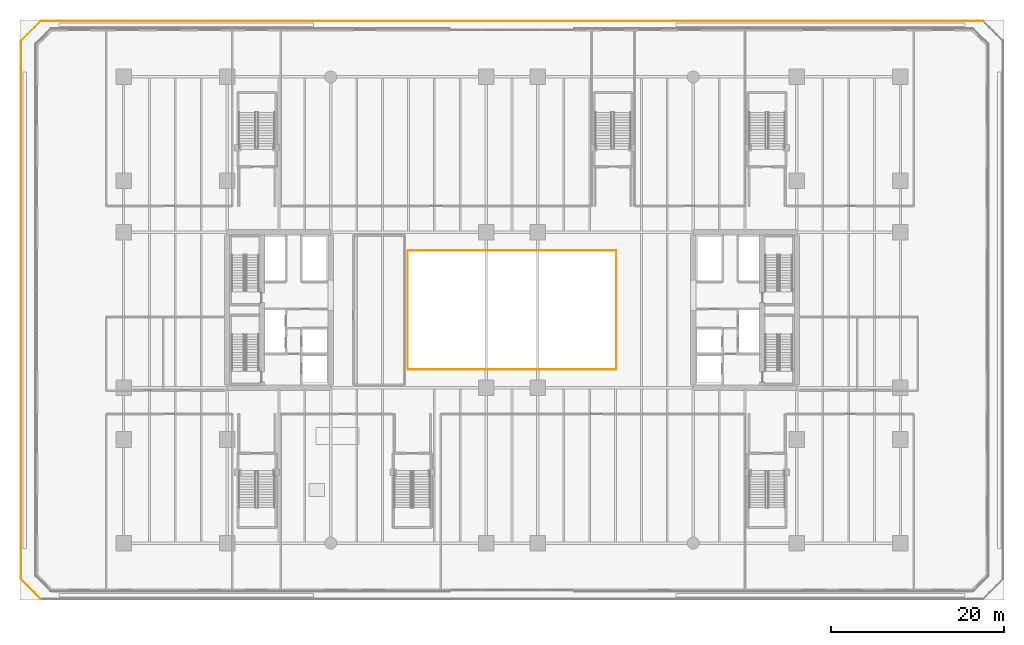
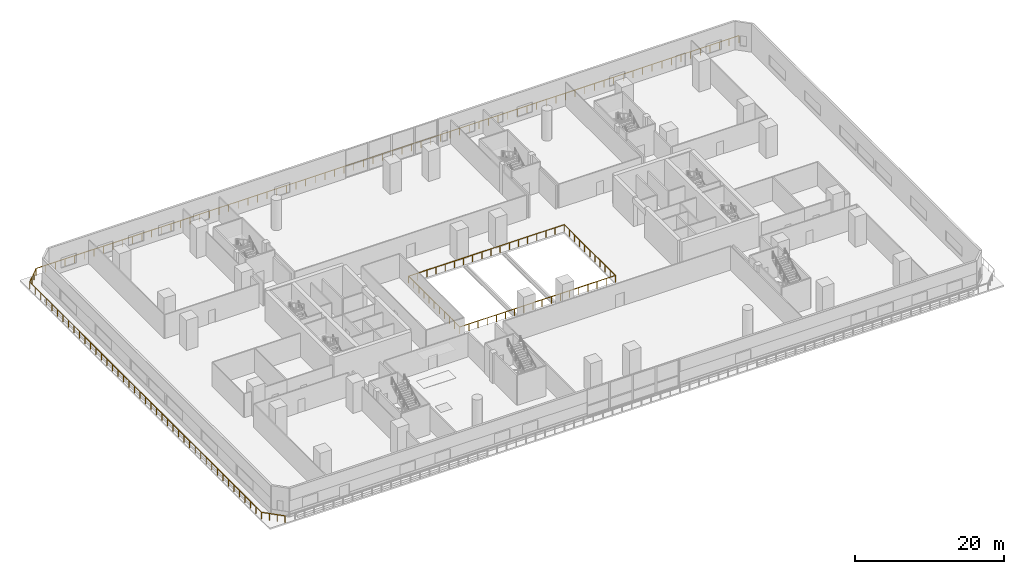
# One storey, part 20 of 24: 3 railings.
"""IFC4 building model written with IfcOpenShell, lengths in metres."""

from ifc_helpers import new_model, si_unit, direction, frame, origin, place, context, subcontext, project, spatial, rectangle, extrude, material, type_object, element, save


model = new_model("IFC4")

# Units and contexts
model_context = context("Model", 3, precision=1e-05, world=origin(), true_north=direction((0.0, 1.0)))
body_context = subcontext(model_context, "Body", "Model", "MODEL_VIEW")
ifc_project = project(units=[si_unit("LENGTHUNIT", "METRE"), si_unit("AREAUNIT", "SQUARE_METRE"), si_unit("VOLUMEUNIT", "CUBIC_METRE"), si_unit("PLANEANGLEUNIT", "RADIAN"), si_unit("MASSUNIT", "GRAM", prefix="KILO")], contexts=[model_context])

# Site, building, storey
site_placement = place(None, origin())
site = spatial("IfcSite", under=ifc_project, at=site_placement, CompositionType="ELEMENT")
building_placement = place(site_placement, origin())
building = spatial("IfcBuilding", under=site, at=building_placement, Name="Tanjung Sevakor Pilgrim Tower", CompositionType="ELEMENT")
storey_placement = place(building_placement, frame((0.0, 0.0, 4.949951171875)))
storey = spatial("IfcBuildingStorey", under=building, at=storey_placement, Name="L02", CompositionType="ELEMENT", Elevation=4.949951171875)

# Railings
ifc_material_1 = material(Name="Laminated Glass and Aluminium", Category="aluminium")
railing_type_1 = type_object("IfcRailingType", Name="RL-BAL-BALUST", PredefinedType="BALUSTRADE", material=ifc_material_1)
railing_1_placement = place(storey_placement, frame((44.919921875, 26.719970703125, 0.0)))
element("IfcRailing", 1, at=railing_1_placement, inside=storey, type_object=railing_type_1, Name="L02 Void Opening Balustrade 1A", PredefinedType="BALUSTRADE", context=body_context, shape_type="SweptSolid", body=[
    extrude(rectangle(XDim=0.0479, YDim=0.0479), frame((0.0, 0.0, 1.1259765625), z_axis=(1.0, 0.0, 0.0), x_axis=(0.0, 1.0, 0.0)), (0.0, 0.0, 1.0), 24.16015625),
    extrude(rectangle(XDim=0.0479, YDim=0.0479), frame((24.16015625, 0.0, 1.1259765625), z_axis=(0.0, 1.0, 0.0), x_axis=(-1.0, 0.0, 0.0)), (0.0, 0.0, 1.0), 13.760009765625),
    extrude(rectangle(XDim=0.042, YDim=0.042), origin(), (0.0, 0.0, 1.0), 1.101806640625),
    extrude(rectangle(XDim=0.042, YDim=0.042), frame((1.421142578125, 0.0, 0.0)), (0.0, 0.0, 1.0), 1.101806640625),
    extrude(rectangle(XDim=0.042, YDim=0.042), frame((2.84228515625, 0.0, 0.0)), (0.0, 0.0, 1.0), 1.101806640625),
    extrude(rectangle(XDim=0.042, YDim=0.042), frame((4.263671875, 0.0, 0.0)), (0.0, 0.0, 1.0), 1.101806640625),
    extrude(rectangle(XDim=0.042, YDim=0.042), frame((5.684814453125, 0.0, 0.0)), (0.0, 0.0, 1.0), 1.101806640625),
    extrude(rectangle(XDim=0.042, YDim=0.042), frame((7.10595703125, 0.0, 0.0)), (0.0, 0.0, 1.0), 1.101806640625),
    extrude(rectangle(XDim=0.042, YDim=0.042), frame((8.527099609375, 0.0, 0.0)), (0.0, 0.0, 1.0), 1.101806640625),
    extrude(rectangle(XDim=0.042, YDim=0.042), frame((9.9482421875, 0.0, 0.0)), (0.0, 0.0, 1.0), 1.101806640625),
    extrude(rectangle(XDim=0.042, YDim=0.042), frame((11.369384765625, 0.0, 0.0)), (0.0, 0.0, 1.0), 1.101806640625),
    extrude(rectangle(XDim=0.042, YDim=0.042), frame((12.790771484375, 0.0, 0.0)), (0.0, 0.0, 1.0), 1.101806640625),
    extrude(rectangle(XDim=0.042, YDim=0.042), frame((14.2119140625, 0.0, 0.0)), (0.0, 0.0, 1.0), 1.101806640625),
    extrude(rectangle(XDim=0.042, YDim=0.042), frame((15.633056640625, 0.0, 0.0)), (0.0, 0.0, 1.0), 1.101806640625),
    extrude(rectangle(XDim=0.042, YDim=0.042), frame((17.05419921875, 0.0, 0.0)), (0.0, 0.0, 1.0), 1.101806640625),
    extrude(rectangle(XDim=0.042, YDim=0.042), frame((18.475341796875, 0.0, 0.0)), (0.0, 0.0, 1.0), 1.101806640625),
    extrude(rectangle(XDim=0.042, YDim=0.042), frame((19.896484375, 0.0, 0.0)), (0.0, 0.0, 1.0), 1.101806640625),
    extrude(rectangle(XDim=0.042, YDim=0.042), frame((21.31787109375, 0.0, 0.0)), (0.0, 0.0, 1.0), 1.101806640625),
    extrude(rectangle(XDim=0.042, YDim=0.042), frame((22.739013671875, 0.0, 0.0)), (0.0, 0.0, 1.0), 1.101806640625),
    extrude(rectangle(XDim=0.042, YDim=0.042), frame((24.16015625, 0.0, 0.0)), (0.0, 0.0, 1.0), 1.101806640625),
    extrude(rectangle(XDim=0.042, YDim=0.042), frame((24.16015625, 1.3759765625, 0.0)), (0.0, 0.0, 1.0), 1.101806640625),
    extrude(rectangle(XDim=0.042, YDim=0.042), frame((24.16015625, 2.751953125, 0.0)), (0.0, 0.0, 1.0), 1.101806640625),
    extrude(rectangle(XDim=0.042, YDim=0.042), frame((24.16015625, 4.1279296875, 0.0)), (0.0, 0.0, 1.0), 1.101806640625),
    extrude(rectangle(XDim=0.042, YDim=0.042), frame((24.16015625, 5.50390625, 0.0)), (0.0, 0.0, 1.0), 1.101806640625),
    extrude(rectangle(XDim=0.042, YDim=0.042), frame((24.16015625, 6.8798828125, 0.0)), (0.0, 0.0, 1.0), 1.101806640625),
    extrude(rectangle(XDim=0.042, YDim=0.042), frame((24.16015625, 8.256103515625, 0.0)), (0.0, 0.0, 1.0), 1.101806640625),
    extrude(rectangle(XDim=0.042, YDim=0.042), frame((24.16015625, 9.632080078125, 0.0)), (0.0, 0.0, 1.0), 1.101806640625),
    extrude(rectangle(XDim=0.042, YDim=0.042), frame((24.16015625, 11.008056640625, 0.0)), (0.0, 0.0, 1.0), 1.101806640625),
    extrude(rectangle(XDim=0.042, YDim=0.042), frame((24.16015625, 12.384033203125, 0.0)), (0.0, 0.0, 1.0), 1.101806640625),
    extrude(rectangle(XDim=0.042, YDim=0.042), frame((24.16015625, 13.760009765625, 0.0)), (0.0, 0.0, 1.0), 1.101806640625),
])
railing_2_placement = place(storey_placement, frame((69.080078125, 40.47998046875, 0.0)))
element("IfcRailing", 2, at=railing_2_placement, inside=storey, type_object=railing_type_1, Name="L02 Void Opening Balustrade 1B", PredefinedType="BALUSTRADE", context=body_context, shape_type="SweptSolid", body=[
    extrude(rectangle(XDim=0.0479, YDim=0.0479), frame((0.0, 0.0, 1.1259765625), z_axis=(-1.0, 0.0, 0.0), x_axis=(0.0, -1.0, 0.0)), (0.0, 0.0, 1.0), 24.16015625),
    extrude(rectangle(XDim=0.0479, YDim=0.0479), frame((-24.16015625, 0.0, 1.1259765625), z_axis=(0.0, -1.0, 0.0), x_axis=(1.0, 0.0, 0.0)), (0.0, 0.0, 1.0), 13.760009765625),
    extrude(rectangle(XDim=0.042, YDim=0.042), origin(), (0.0, 0.0, 1.0), 1.101806640625),
    extrude(rectangle(XDim=0.042, YDim=0.042), frame((-1.421142578125, 0.0, 0.0)), (0.0, 0.0, 1.0), 1.101806640625),
    extrude(rectangle(XDim=0.042, YDim=0.042), frame((-2.84228515625, 0.0, 0.0)), (0.0, 0.0, 1.0), 1.101806640625),
    extrude(rectangle(XDim=0.042, YDim=0.042), frame((-4.263671875, 0.0, 0.0)), (0.0, 0.0, 1.0), 1.101806640625),
    extrude(rectangle(XDim=0.042, YDim=0.042), frame((-5.684814453125, 0.0, 0.0)), (0.0, 0.0, 1.0), 1.101806640625),
    extrude(rectangle(XDim=0.042, YDim=0.042), frame((-7.10595703125, 0.0, 0.0)), (0.0, 0.0, 1.0), 1.101806640625),
    extrude(rectangle(XDim=0.042, YDim=0.042), frame((-8.527099609375, 0.0, 0.0)), (0.0, 0.0, 1.0), 1.101806640625),
    extrude(rectangle(XDim=0.042, YDim=0.042), frame((-9.9482421875, 0.0, 0.0)), (0.0, 0.0, 1.0), 1.101806640625),
    extrude(rectangle(XDim=0.042, YDim=0.042), frame((-11.369384765625, 0.0, 0.0)), (0.0, 0.0, 1.0), 1.101806640625),
    extrude(rectangle(XDim=0.042, YDim=0.042), frame((-12.790771484375, 0.0, 0.0)), (0.0, 0.0, 1.0), 1.101806640625),
    extrude(rectangle(XDim=0.042, YDim=0.042), frame((-14.2119140625, 0.0, 0.0)), (0.0, 0.0, 1.0), 1.101806640625),
    extrude(rectangle(XDim=0.042, YDim=0.042), frame((-15.633056640625, 0.0, 0.0)), (0.0, 0.0, 1.0), 1.101806640625),
    extrude(rectangle(XDim=0.042, YDim=0.042), frame((-17.05419921875, 0.0, 0.0)), (0.0, 0.0, 1.0), 1.101806640625),
    extrude(rectangle(XDim=0.042, YDim=0.042), frame((-18.475341796875, 0.0, 0.0)), (0.0, 0.0, 1.0), 1.101806640625),
    extrude(rectangle(XDim=0.042, YDim=0.042), frame((-19.896484375, 0.0, 0.0)), (0.0, 0.0, 1.0), 1.101806640625),
    extrude(rectangle(XDim=0.042, YDim=0.042), frame((-21.31787109375, 0.0, 0.0)), (0.0, 0.0, 1.0), 1.101806640625),
    extrude(rectangle(XDim=0.042, YDim=0.042), frame((-22.739013671875, 0.0, 0.0)), (0.0, 0.0, 1.0), 1.101806640625),
    extrude(rectangle(XDim=0.042, YDim=0.042), frame((-24.16015625, 0.0, 0.0)), (0.0, 0.0, 1.0), 1.101806640625),
    extrude(rectangle(XDim=0.042, YDim=0.042), frame((-24.16015625, -1.3759765625, 0.0)), (0.0, 0.0, 1.0), 1.101806640625),
    extrude(rectangle(XDim=0.042, YDim=0.042), frame((-24.16015625, -2.751953125, 0.0)), (0.0, 0.0, 1.0), 1.101806640625),
    extrude(rectangle(XDim=0.042, YDim=0.042), frame((-24.16015625, -4.1279296875, 0.0)), (0.0, 0.0, 1.0), 1.101806640625),
    extrude(rectangle(XDim=0.042, YDim=0.042), frame((-24.16015625, -5.50390625, 0.0)), (0.0, 0.0, 1.0), 1.101806640625),
    extrude(rectangle(XDim=0.042, YDim=0.042), frame((-24.16015625, -6.8798828125, 0.0)), (0.0, 0.0, 1.0), 1.101806640625),
    extrude(rectangle(XDim=0.042, YDim=0.042), frame((-24.16015625, -8.256103515625, 0.0)), (0.0, 0.0, 1.0), 1.101806640625),
    extrude(rectangle(XDim=0.042, YDim=0.042), frame((-24.16015625, -9.632080078125, 0.0)), (0.0, 0.0, 1.0), 1.101806640625),
    extrude(rectangle(XDim=0.042, YDim=0.042), frame((-24.16015625, -11.008056640625, 0.0)), (0.0, 0.0, 1.0), 1.101806640625),
    extrude(rectangle(XDim=0.042, YDim=0.042), frame((-24.16015625, -12.384033203125, 0.0)), (0.0, 0.0, 1.0), 1.101806640625),
    extrude(rectangle(XDim=0.042, YDim=0.042), frame((-24.16015625, -13.760009765625, 0.0)), (0.0, 0.0, 1.0), 1.101806640625),
])
ifc_material_2 = material(Name="Steel S355J2", Category="steel")
railing_type_2 = type_object("IfcRailingType", Name="RL-EXT-GUARD", PredefinedType="GUARDRAIL", material=ifc_material_2)
railing_3_placement = place(storey_placement, frame((111.55859375, 67.10009765625, 0.0)))
element("IfcRailing", 3, at=railing_3_placement, inside=storey, type_object=railing_type_2, Name="L02 Terrace Perimeter Guardrail GR-PODTER-L02-2", PredefinedType="GUARDRAIL", context=body_context, shape_type="SweptSolid", body=[
    extrude(rectangle(XDim=0.0479, YDim=0.0479), frame((0.0, 0.0, 1.1259765625), z_axis=(-1.0, 0.0, 0.0), x_axis=(0.0, -1.0, 0.0)), (0.0, 0.0, 1.0), 109.1171875),
    extrude(rectangle(XDim=0.0479, YDim=0.0479), frame((-109.1171875, 0.0, 1.1259765625), z_axis=(-0.707069915266, -0.707143645185, 0.0), x_axis=(0.707143645185, -0.707069915266, 0.0)), (0.0, 0.0, 1.0), 3.311279296875),
    extrude(rectangle(XDim=0.0479, YDim=0.0479), frame((-111.45849609375, -2.341552734375, 1.1259765625), z_axis=(0.0, -1.0, 0.0), x_axis=(1.0, 0.0, 0.0)), (0.0, 0.0, 1.0), 62.317138671875),
    extrude(rectangle(XDim=0.0479, YDim=0.0479), frame((-111.45849609375, -64.65869140625, 1.1259765625), z_axis=(0.707106781187, -0.707106781187, 0.0), x_axis=(0.707106781187, 0.707106781187, 0.0)), (0.0, 0.0, 1.0), 3.31103515625),
    extrude(rectangle(XDim=0.042, YDim=0.042), origin(), (0.0, 0.0, 1.0), 1.101806640625),
    extrude(rectangle(XDim=0.042, YDim=0.042), frame((-1.494873046875, 0.0, 0.0)), (0.0, 0.0, 1.0), 1.101806640625),
    extrude(rectangle(XDim=0.042, YDim=0.042), frame((-2.989501953125, 0.0, 0.0)), (0.0, 0.0, 1.0), 1.101806640625),
    extrude(rectangle(XDim=0.042, YDim=0.042), frame((-4.484375, 0.0, 0.0)), (0.0, 0.0, 1.0), 1.101806640625),
    extrude(rectangle(XDim=0.042, YDim=0.042), frame((-5.97900390625, 0.0, 0.0)), (0.0, 0.0, 1.0), 1.101806640625),
    extrude(rectangle(XDim=0.042, YDim=0.042), frame((-7.473876953125, 0.0, 0.0)), (0.0, 0.0, 1.0), 1.101806640625),
    extrude(rectangle(XDim=0.042, YDim=0.042), frame((-8.968505859375, 0.0, 0.0)), (0.0, 0.0, 1.0), 1.101806640625),
    extrude(rectangle(XDim=0.042, YDim=0.042), frame((-10.46337890625, 0.0, 0.0)), (0.0, 0.0, 1.0), 1.101806640625),
    extrude(rectangle(XDim=0.042, YDim=0.042), frame((-11.9580078125, 0.0, 0.0)), (0.0, 0.0, 1.0), 1.101806640625),
    extrude(rectangle(XDim=0.042, YDim=0.042), frame((-13.452880859375, 0.0, 0.0)), (0.0, 0.0, 1.0), 1.101806640625),
    extrude(rectangle(XDim=0.042, YDim=0.042), frame((-14.947509765625, 0.0, 0.0)), (0.0, 0.0, 1.0), 1.101806640625),
    extrude(rectangle(XDim=0.042, YDim=0.042), frame((-16.4423828125, 0.0, 0.0)), (0.0, 0.0, 1.0), 1.101806640625),
    extrude(rectangle(XDim=0.042, YDim=0.042), frame((-17.93701171875, 0.0, 0.0)), (0.0, 0.0, 1.0), 1.101806640625),
    extrude(rectangle(XDim=0.042, YDim=0.042), frame((-19.431884765625, 0.0, 0.0)), (0.0, 0.0, 1.0), 1.101806640625),
    extrude(rectangle(XDim=0.042, YDim=0.042), frame((-20.926513671875, 0.0, 0.0)), (0.0, 0.0, 1.0), 1.101806640625),
    extrude(rectangle(XDim=0.042, YDim=0.042), frame((-22.42138671875, 0.0, 0.0)), (0.0, 0.0, 1.0), 1.101806640625),
    extrude(rectangle(XDim=0.042, YDim=0.042), frame((-23.916015625, 0.0, 0.0)), (0.0, 0.0, 1.0), 1.101806640625),
    extrude(rectangle(XDim=0.042, YDim=0.042), frame((-25.410888671875, 0.0, 0.0)), (0.0, 0.0, 1.0), 1.101806640625),
    extrude(rectangle(XDim=0.042, YDim=0.042), frame((-26.905517578125, 0.0, 0.0)), (0.0, 0.0, 1.0), 1.101806640625),
    extrude(rectangle(XDim=0.042, YDim=0.042), frame((-28.400390625, 0.0, 0.0)), (0.0, 0.0, 1.0), 1.101806640625),
    extrude(rectangle(XDim=0.042, YDim=0.042), frame((-29.89501953125, 0.0, 0.0)), (0.0, 0.0, 1.0), 1.101806640625),
    extrude(rectangle(XDim=0.042, YDim=0.042), frame((-31.389892578125, 0.0, 0.0)), (0.0, 0.0, 1.0), 1.101806640625),
    extrude(rectangle(XDim=0.042, YDim=0.042), frame((-32.884521484375, 0.0, 0.0)), (0.0, 0.0, 1.0), 1.101806640625),
    extrude(rectangle(XDim=0.042, YDim=0.042), frame((-34.37939453125, 0.0, 0.0)), (0.0, 0.0, 1.0), 1.101806640625),
    extrude(rectangle(XDim=0.042, YDim=0.042), frame((-35.8740234375, 0.0, 0.0)), (0.0, 0.0, 1.0), 1.101806640625),
    extrude(rectangle(XDim=0.042, YDim=0.042), frame((-37.368896484375, 0.0, 0.0)), (0.0, 0.0, 1.0), 1.101806640625),
    extrude(rectangle(XDim=0.042, YDim=0.042), frame((-38.86376953125, 0.0, 0.0)), (0.0, 0.0, 1.0), 1.101806640625),
    extrude(rectangle(XDim=0.042, YDim=0.042), frame((-40.3583984375, 0.0, 0.0)), (0.0, 0.0, 1.0), 1.101806640625),
    extrude(rectangle(XDim=0.042, YDim=0.042), frame((-41.853271484375, 0.0, 0.0)), (0.0, 0.0, 1.0), 1.101806640625),
    extrude(rectangle(XDim=0.042, YDim=0.042), frame((-43.347900390625, 0.0, 0.0)), (0.0, 0.0, 1.0), 1.101806640625),
    extrude(rectangle(XDim=0.042, YDim=0.042), frame((-44.8427734375, 0.0, 0.0)), (0.0, 0.0, 1.0), 1.101806640625),
    extrude(rectangle(XDim=0.042, YDim=0.042), frame((-46.33740234375, 0.0, 0.0)), (0.0, 0.0, 1.0), 1.101806640625),
    extrude(rectangle(XDim=0.042, YDim=0.042), frame((-47.832275390625, 0.0, 0.0)), (0.0, 0.0, 1.0), 1.101806640625),
    extrude(rectangle(XDim=0.042, YDim=0.042), frame((-49.326904296875, 0.0, 0.0)), (0.0, 0.0, 1.0), 1.101806640625),
    extrude(rectangle(XDim=0.042, YDim=0.042), frame((-50.82177734375, 0.0, 0.0)), (0.0, 0.0, 1.0), 1.101806640625),
    extrude(rectangle(XDim=0.042, YDim=0.042), frame((-52.31640625, 0.0, 0.0)), (0.0, 0.0, 1.0), 1.101806640625),
    extrude(rectangle(XDim=0.042, YDim=0.042), frame((-53.811279296875, 0.0, 0.0)), (0.0, 0.0, 1.0), 1.101806640625),
    extrude(rectangle(XDim=0.042, YDim=0.042), frame((-55.305908203125, 0.0, 0.0)), (0.0, 0.0, 1.0), 1.101806640625),
    extrude(rectangle(XDim=0.042, YDim=0.042), frame((-56.80078125, 0.0, 0.0)), (0.0, 0.0, 1.0), 1.101806640625),
    extrude(rectangle(XDim=0.042, YDim=0.042), frame((-58.29541015625, 0.0, 0.0)), (0.0, 0.0, 1.0), 1.101806640625),
    extrude(rectangle(XDim=0.042, YDim=0.042), frame((-59.790283203125, 0.0, 0.0)), (0.0, 0.0, 1.0), 1.101806640625),
    extrude(rectangle(XDim=0.042, YDim=0.042), frame((-61.284912109375, 0.0, 0.0)), (0.0, 0.0, 1.0), 1.101806640625),
    extrude(rectangle(XDim=0.042, YDim=0.042), frame((-62.77978515625, 0.0, 0.0)), (0.0, 0.0, 1.0), 1.101806640625),
    extrude(rectangle(XDim=0.042, YDim=0.042), frame((-64.2744140625, 0.0, 0.0)), (0.0, 0.0, 1.0), 1.101806640625),
    extrude(rectangle(XDim=0.042, YDim=0.042), frame((-65.769287109375, 0.0, 0.0)), (0.0, 0.0, 1.0), 1.101806640625),
    extrude(rectangle(XDim=0.042, YDim=0.042), frame((-67.263916015625, 0.0, 0.0)), (0.0, 0.0, 1.0), 1.101806640625),
    extrude(rectangle(XDim=0.042, YDim=0.042), frame((-68.7587890625, 0.0, 0.0)), (0.0, 0.0, 1.0), 1.101806640625),
    extrude(rectangle(XDim=0.042, YDim=0.042), frame((-70.25341796875, 0.0, 0.0)), (0.0, 0.0, 1.0), 1.101806640625),
    extrude(rectangle(XDim=0.042, YDim=0.042), frame((-71.748291015625, 0.0, 0.0)), (0.0, 0.0, 1.0), 1.101806640625),
    extrude(rectangle(XDim=0.042, YDim=0.042), frame((-73.2431640625, 0.0, 0.0)), (0.0, 0.0, 1.0), 1.101806640625),
    extrude(rectangle(XDim=0.042, YDim=0.042), frame((-74.73779296875, 0.0, 0.0)), (0.0, 0.0, 1.0), 1.101806640625),
    extrude(rectangle(XDim=0.042, YDim=0.042), frame((-76.232666015625, 0.0, 0.0)), (0.0, 0.0, 1.0), 1.101806640625),
    extrude(rectangle(XDim=0.042, YDim=0.042), frame((-77.727294921875, 0.0, 0.0)), (0.0, 0.0, 1.0), 1.101806640625),
    extrude(rectangle(XDim=0.042, YDim=0.042), frame((-79.22216796875, 0.0, 0.0)), (0.0, 0.0, 1.0), 1.101806640625),
    extrude(rectangle(XDim=0.042, YDim=0.042), frame((-80.716796875, 0.0, 0.0)), (0.0, 0.0, 1.0), 1.101806640625),
    extrude(rectangle(XDim=0.042, YDim=0.042), frame((-82.211669921875, 0.0, 0.0)), (0.0, 0.0, 1.0), 1.101806640625),
    extrude(rectangle(XDim=0.042, YDim=0.042), frame((-83.706298828125, 0.0, 0.0)), (0.0, 0.0, 1.0), 1.101806640625),
    extrude(rectangle(XDim=0.042, YDim=0.042), frame((-85.201171875, 0.0, 0.0)), (0.0, 0.0, 1.0), 1.101806640625),
    extrude(rectangle(XDim=0.042, YDim=0.042), frame((-86.69580078125, 0.0, 0.0)), (0.0, 0.0, 1.0), 1.101806640625),
    extrude(rectangle(XDim=0.042, YDim=0.042), frame((-88.190673828125, 0.0, 0.0)), (0.0, 0.0, 1.0), 1.101806640625),
    extrude(rectangle(XDim=0.042, YDim=0.042), frame((-89.685302734375, 0.0, 0.0)), (0.0, 0.0, 1.0), 1.101806640625),
    extrude(rectangle(XDim=0.042, YDim=0.042), frame((-91.18017578125, 0.0, 0.0)), (0.0, 0.0, 1.0), 1.101806640625),
    extrude(rectangle(XDim=0.042, YDim=0.042), frame((-92.6748046875, 0.0, 0.0)), (0.0, 0.0, 1.0), 1.101806640625),
    extrude(rectangle(XDim=0.042, YDim=0.042), frame((-94.169677734375, 0.0, 0.0)), (0.0, 0.0, 1.0), 1.101806640625),
    extrude(rectangle(XDim=0.042, YDim=0.042), frame((-95.664306640625, 0.0, 0.0)), (0.0, 0.0, 1.0), 1.101806640625),
    extrude(rectangle(XDim=0.042, YDim=0.042), frame((-97.1591796875, 0.0, 0.0)), (0.0, 0.0, 1.0), 1.101806640625),
    extrude(rectangle(XDim=0.042, YDim=0.042), frame((-98.65380859375, 0.0, 0.0)), (0.0, 0.0, 1.0), 1.101806640625),
    extrude(rectangle(XDim=0.042, YDim=0.042), frame((-100.148681640625, 0.0, 0.0)), (0.0, 0.0, 1.0), 1.101806640625),
    extrude(rectangle(XDim=0.042, YDim=0.042), frame((-101.643310546875, 0.0, 0.0)), (0.0, 0.0, 1.0), 1.101806640625),
    extrude(rectangle(XDim=0.042, YDim=0.042), frame((-103.13818359375, 0.0, 0.0)), (0.0, 0.0, 1.0), 1.101806640625),
    extrude(rectangle(XDim=0.042, YDim=0.042), frame((-104.6328125, 0.0, 0.0)), (0.0, 0.0, 1.0), 1.101806640625),
    extrude(rectangle(XDim=0.042, YDim=0.042), frame((-106.127685546875, 0.0, 0.0)), (0.0, 0.0, 1.0), 1.101806640625),
    extrude(rectangle(XDim=0.042, YDim=0.042), frame((-107.622314453125, 0.0, 0.0)), (0.0, 0.0, 1.0), 1.101806640625),
    extrude(rectangle(XDim=0.042, YDim=0.042), frame((-109.1171875, 0.0, 0.0)), (0.0, 0.0, 1.0), 1.101806640625),
    extrude(rectangle(XDim=0.042, YDim=0.042), frame((-109.897705078125, -0.780517578125, 0.0)), (0.0, 0.0, 1.0), 1.101806640625),
    extrude(rectangle(XDim=0.042, YDim=0.042), frame((-110.677978515625, -1.56103515625, 0.0)), (0.0, 0.0, 1.0), 1.101806640625),
    extrude(rectangle(XDim=0.042, YDim=0.042), frame((-111.45849609375, -2.341552734375, 0.0)), (0.0, 0.0, 1.0), 1.101806640625),
    extrude(rectangle(XDim=0.042, YDim=0.042), frame((-111.45849609375, -3.8251953125, 0.0)), (0.0, 0.0, 1.0), 1.101806640625),
    extrude(rectangle(XDim=0.042, YDim=0.042), frame((-111.45849609375, -5.30908203125, 0.0)), (0.0, 0.0, 1.0), 1.101806640625),
    extrude(rectangle(XDim=0.042, YDim=0.042), frame((-111.45849609375, -6.792724609375, 0.0)), (0.0, 0.0, 1.0), 1.101806640625),
    extrude(rectangle(XDim=0.042, YDim=0.042), frame((-111.45849609375, -8.276611328125, 0.0)), (0.0, 0.0, 1.0), 1.101806640625),
    extrude(rectangle(XDim=0.042, YDim=0.042), frame((-111.45849609375, -9.76025390625, 0.0)), (0.0, 0.0, 1.0), 1.101806640625),
    extrude(rectangle(XDim=0.042, YDim=0.042), frame((-111.45849609375, -11.243896484375, 0.0)), (0.0, 0.0, 1.0), 1.101806640625),
    extrude(rectangle(XDim=0.042, YDim=0.042), frame((-111.45849609375, -12.727783203125, 0.0)), (0.0, 0.0, 1.0), 1.101806640625),
    extrude(rectangle(XDim=0.042, YDim=0.042), frame((-111.45849609375, -14.21142578125, 0.0)), (0.0, 0.0, 1.0), 1.101806640625),
    extrude(rectangle(XDim=0.042, YDim=0.042), frame((-111.45849609375, -15.6953125, 0.0)), (0.0, 0.0, 1.0), 1.101806640625),
    extrude(rectangle(XDim=0.042, YDim=0.042), frame((-111.45849609375, -17.178955078125, 0.0)), (0.0, 0.0, 1.0), 1.101806640625),
    extrude(rectangle(XDim=0.042, YDim=0.042), frame((-111.45849609375, -18.66259765625, 0.0)), (0.0, 0.0, 1.0), 1.101806640625),
    extrude(rectangle(XDim=0.042, YDim=0.042), frame((-111.45849609375, -20.146484375, 0.0)), (0.0, 0.0, 1.0), 1.101806640625),
    extrude(rectangle(XDim=0.042, YDim=0.042), frame((-111.45849609375, -21.630126953125, 0.0)), (0.0, 0.0, 1.0), 1.101806640625),
    extrude(rectangle(XDim=0.042, YDim=0.042), frame((-111.45849609375, -23.114013671875, 0.0)), (0.0, 0.0, 1.0), 1.101806640625),
    extrude(rectangle(XDim=0.042, YDim=0.042), frame((-111.45849609375, -24.59765625, 0.0)), (0.0, 0.0, 1.0), 1.101806640625),
    extrude(rectangle(XDim=0.042, YDim=0.042), frame((-111.45849609375, -26.081298828125, 0.0)), (0.0, 0.0, 1.0), 1.101806640625),
    extrude(rectangle(XDim=0.042, YDim=0.042), frame((-111.45849609375, -27.565185546875, 0.0)), (0.0, 0.0, 1.0), 1.101806640625),
    extrude(rectangle(XDim=0.042, YDim=0.042), frame((-111.45849609375, -29.048828125, 0.0)), (0.0, 0.0, 1.0), 1.101806640625),
    extrude(rectangle(XDim=0.042, YDim=0.042), frame((-111.45849609375, -30.53271484375, 0.0)), (0.0, 0.0, 1.0), 1.101806640625),
    extrude(rectangle(XDim=0.042, YDim=0.042), frame((-111.45849609375, -32.016357421875, 0.0)), (0.0, 0.0, 1.0), 1.101806640625),
    extrude(rectangle(XDim=0.042, YDim=0.042), frame((-111.45849609375, -33.5, 0.0)), (0.0, 0.0, 1.0), 1.101806640625),
    extrude(rectangle(XDim=0.042, YDim=0.042), frame((-111.45849609375, -34.98388671875, 0.0)), (0.0, 0.0, 1.0), 1.101806640625),
    extrude(rectangle(XDim=0.042, YDim=0.042), frame((-111.45849609375, -36.467529296875, 0.0)), (0.0, 0.0, 1.0), 1.101806640625),
    extrude(rectangle(XDim=0.042, YDim=0.042), frame((-111.45849609375, -37.951416015625, 0.0)), (0.0, 0.0, 1.0), 1.101806640625),
    extrude(rectangle(XDim=0.042, YDim=0.042), frame((-111.45849609375, -39.43505859375, 0.0)), (0.0, 0.0, 1.0), 1.101806640625),
    extrude(rectangle(XDim=0.042, YDim=0.042), frame((-111.45849609375, -40.9189453125, 0.0)), (0.0, 0.0, 1.0), 1.101806640625),
    extrude(rectangle(XDim=0.042, YDim=0.042), frame((-111.45849609375, -42.402587890625, 0.0)), (0.0, 0.0, 1.0), 1.101806640625),
    extrude(rectangle(XDim=0.042, YDim=0.042), frame((-111.45849609375, -43.88623046875, 0.0)), (0.0, 0.0, 1.0), 1.101806640625),
    extrude(rectangle(XDim=0.042, YDim=0.042), frame((-111.45849609375, -45.3701171875, 0.0)), (0.0, 0.0, 1.0), 1.101806640625),
    extrude(rectangle(XDim=0.042, YDim=0.042), frame((-111.45849609375, -46.853759765625, 0.0)), (0.0, 0.0, 1.0), 1.101806640625),
    extrude(rectangle(XDim=0.042, YDim=0.042), frame((-111.45849609375, -48.337646484375, 0.0)), (0.0, 0.0, 1.0), 1.101806640625),
    extrude(rectangle(XDim=0.042, YDim=0.042), frame((-111.45849609375, -49.8212890625, 0.0)), (0.0, 0.0, 1.0), 1.101806640625),
    extrude(rectangle(XDim=0.042, YDim=0.042), frame((-111.45849609375, -51.304931640625, 0.0)), (0.0, 0.0, 1.0), 1.101806640625),
    extrude(rectangle(XDim=0.042, YDim=0.042), frame((-111.45849609375, -52.788818359375, 0.0)), (0.0, 0.0, 1.0), 1.101806640625),
    extrude(rectangle(XDim=0.042, YDim=0.042), frame((-111.45849609375, -54.2724609375, 0.0)), (0.0, 0.0, 1.0), 1.101806640625),
    extrude(rectangle(XDim=0.042, YDim=0.042), frame((-111.45849609375, -55.75634765625, 0.0)), (0.0, 0.0, 1.0), 1.101806640625),
    extrude(rectangle(XDim=0.042, YDim=0.042), frame((-111.45849609375, -57.239990234375, 0.0)), (0.0, 0.0, 1.0), 1.101806640625),
    extrude(rectangle(XDim=0.042, YDim=0.042), frame((-111.45849609375, -58.7236328125, 0.0)), (0.0, 0.0, 1.0), 1.101806640625),
    extrude(rectangle(XDim=0.042, YDim=0.042), frame((-111.45849609375, -60.20751953125, 0.0)), (0.0, 0.0, 1.0), 1.101806640625),
    extrude(rectangle(XDim=0.042, YDim=0.042), frame((-111.45849609375, -61.691162109375, 0.0)), (0.0, 0.0, 1.0), 1.101806640625),
    extrude(rectangle(XDim=0.042, YDim=0.042), frame((-111.45849609375, -63.175048828125, 0.0)), (0.0, 0.0, 1.0), 1.101806640625),
    extrude(rectangle(XDim=0.042, YDim=0.042), frame((-111.45849609375, -64.65869140625, 0.0)), (0.0, 0.0, 1.0), 1.101806640625),
    extrude(rectangle(XDim=0.042, YDim=0.042), frame((-110.677978515625, -65.439208984375, 0.0)), (0.0, 0.0, 1.0), 1.101806640625),
    extrude(rectangle(XDim=0.042, YDim=0.042), frame((-109.897705078125, -66.219482421875, 0.0)), (0.0, 0.0, 1.0), 1.101806640625),
    extrude(rectangle(XDim=0.042, YDim=0.042), frame((-109.1171875, -67.0, 0.0)), (0.0, 0.0, 1.0), 1.101806640625),
])

save(model, "model.ifc")
